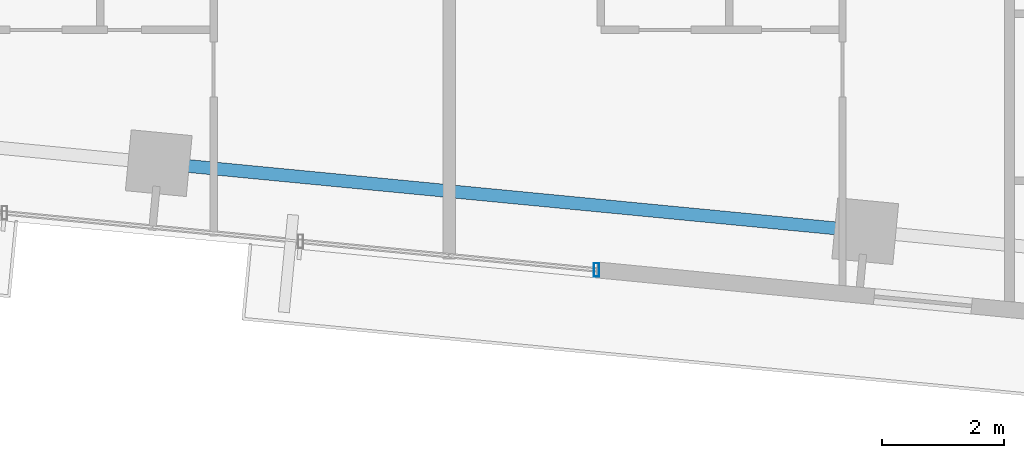
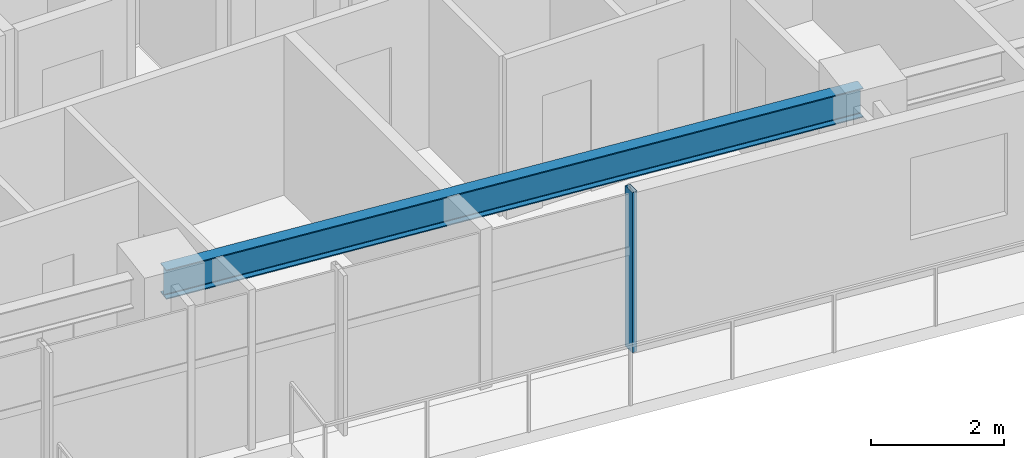
# One storey, part 9 of 20: 1 beam, 1 member, 1 element without a shape of its own.
"""IFC4 building model written with IfcOpenShell, lengths in metres."""

from ifc_helpers import new_model, si_unit, direction, frame, origin, origin_2d, place, context, subcontext, project, spatial, hollow_rectangle, i_section, extrude, source, transform, mapped, material, material_profile, profile_set, type_object, type_shapes, element, aggregate, save


model = new_model("IFC4")

# Units and contexts
model_context = context("Model", 3, precision=1e-05, world=origin(), true_north=direction((0.0, 1.0)))
body_context = subcontext(model_context, "Body", "Model", "MODEL_VIEW")
ifc_project = project(units=[si_unit("LENGTHUNIT", "METRE"), si_unit("AREAUNIT", "SQUARE_METRE"), si_unit("VOLUMEUNIT", "CUBIC_METRE"), si_unit("PLANEANGLEUNIT", "RADIAN"), si_unit("MASSUNIT", "GRAM", prefix="KILO")], contexts=[model_context])

# Site, building, storey
site_placement = place(None, origin())
site = spatial("IfcSite", under=ifc_project, at=site_placement, CompositionType="ELEMENT")
building_placement = place(site_placement, origin())
building = spatial("IfcBuilding", under=site, at=building_placement, Name="Astriad Promenade Condominiums", CompositionType="ELEMENT")
storey_placement = place(building_placement, frame((0.0, 0.0, 134.199951171875)))
storey = spatial("IfcBuildingStorey", under=building, at=storey_placement, Name="L38", CompositionType="ELEMENT", Elevation=134.199951171875)

# Beam
ifc_material_1 = material(Name="Steel ASTM A992 Grade 50", Category="steel")
ifc_material_profile_1 = material_profile(ifc_material_1, i_section(OverallWidth=0.210693359375, OverallDepth=0.53955078125, WebThickness=0.01171875, FlangeThickness=0.018798828125, FilletRadius=0.0166015625, at=origin_2d()), Name="W21X73")
ifc_profile_set_1 = profile_set([ifc_material_profile_1], Name="Steel ASTM A992 Grade 50")
beam_type = type_object("IfcBeamType", Name="STEEL SPANDREL BEAM W21X73", PredefinedType="SPANDREL", material=ifc_profile_set_1)
shared_shape_1 = source(origin(), body_context, "Body", "SweptSolid", [
    extrude(i_section(OverallWidth=0.210693359375, OverallDepth=0.53955078125, WebThickness=0.01171875, FlangeThickness=0.018798828125, FilletRadius=0.0166015625, at=origin_2d()), origin(), (0.0, 0.0, 1.0), 11.52001953125),
])
type_shapes(beam_type, [shared_shape_1])
beam_placement = place(storey_placement, frame((32.013671875, 8.2158203125, 2.670166015625), z_axis=(0.995397412028, -0.095833147335, 0.0), x_axis=(0.095833147335, 0.995397412028, 0.0)))
element("IfcBeam", 1, at=beam_placement, inside=storey, type_object=beam_type, Name="Perimeter Spandrel Beam SP-S3-L38", PredefinedType="SPANDREL", context=body_context, shape_type="MappedRepresentation", body=[
    mapped(shared_shape_1, transform((0.0, 0.0, 0.0), scale=1.0)),
])

# Curtain wall, member
ifc_material_2 = material(Name="Anodised aluminium Black Dark Glass Unitised", Category="aluminium")
curtain_wall_type = type_object("IfcCurtainWallType", Name="CW-B34-DARK", PredefinedType="USERDEFINED", material=ifc_material_2)
curtain_wall_placement = place(storey_placement, origin())
curtain_wall = element("IfcCurtainWall", 2, at=curtain_wall_placement, inside=storey, type_object=curtain_wall_type, Name="CW-L38-S", ObjectType="UNITISED_CURTAIN_WALL", PredefinedType="USERDEFINED")
ifc_material_3 = material(Name="Anodised aluminium 6063-T6 Black", Category="aluminium")
ifc_material_profile_2 = material_profile(ifc_material_3, hollow_rectangle(XDim=0.0849609375, YDim=0.219970703125, WallThickness=0.0048828125, at=origin_2d()), Name="ALU-MUL-85X220")
ifc_profile_set_2 = profile_set([ifc_material_profile_2], Name="Anodised aluminium 6063-T6 Black")
member_type = type_object("IfcMemberType", Name="MUL-ALU-MUL-85X220", PredefinedType="MULLION", material=ifc_profile_set_2)
shared_shape_2 = source(origin(), body_context, "Body", "SweptSolid", [
    extrude(hollow_rectangle(XDim=0.0849609375, YDim=0.219970703125, WallThickness=0.0048828125, at=origin_2d()), origin(), (0.0, 0.0, 1.0), 2.93994140625),
])
type_shapes(member_type, [shared_shape_2])
member_placement = place(storey_placement, frame((39.129638671875, 6.475830078125, 0.0), z_axis=(0.0, 0.0, 1.0), x_axis=(1.0, 0.0, 0.0)))
member = element("IfcMember", 3, at=member_placement, type_object=member_type, Name="CW-L38-S-MUL-00", PredefinedType="MULLION", context=body_context, shape_type="MappedRepresentation", body=[
    mapped(shared_shape_2, transform((0.0, 0.0, 0.0), scale=1.0)),
])
aggregate(curtain_wall, [member])

save(model, "model.ifc")
